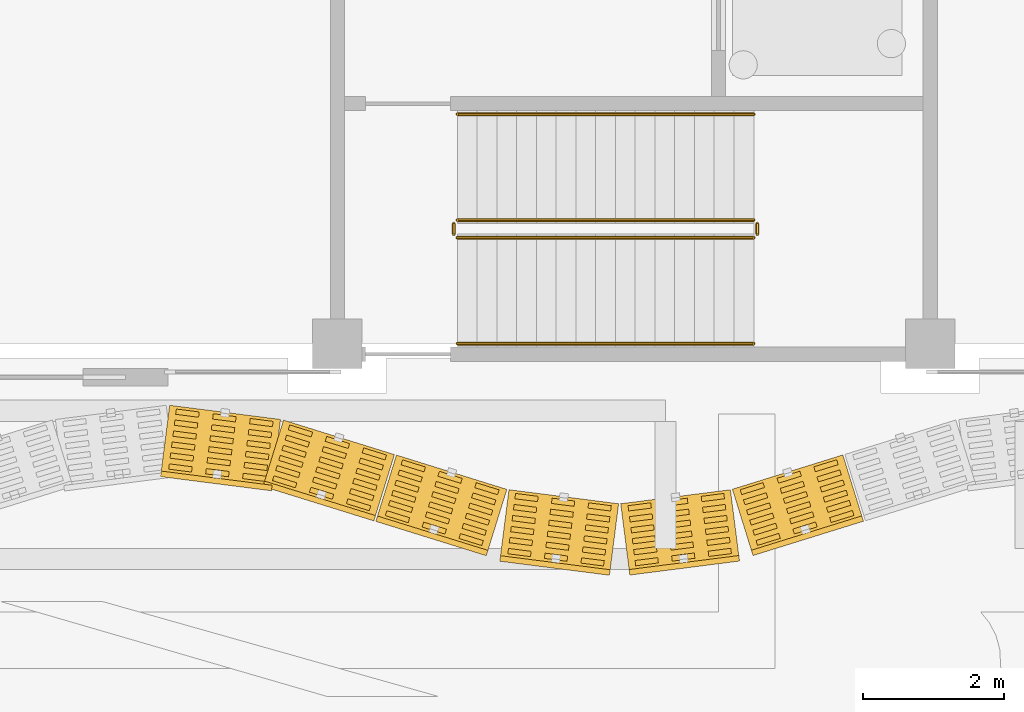
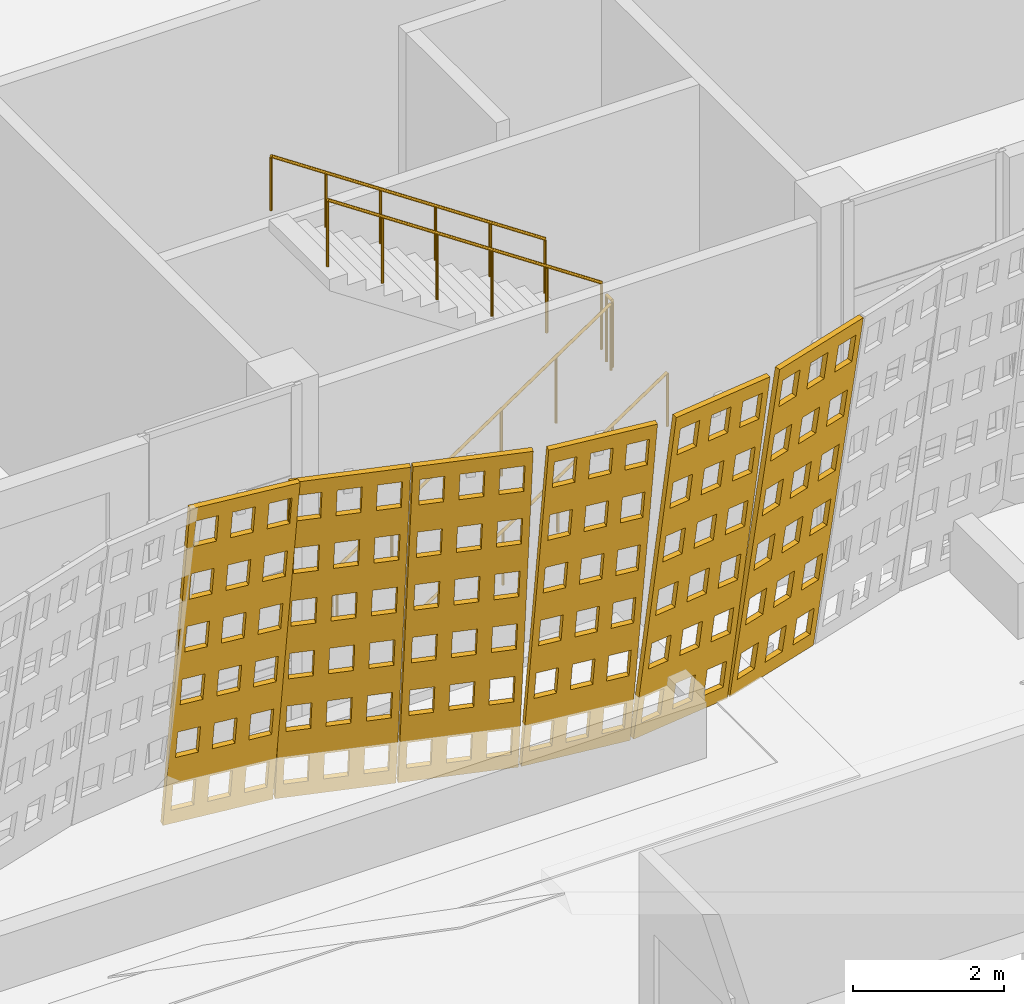
# One storey, part 176 of 210: 6 coverings, 6 railings.
"""IFC4 building model written with IfcOpenShell, lengths in metres."""

from ifc_helpers import new_model, si_unit, direction, frame, origin, origin_2d, place, context, subcontext, project, spatial, polyline, circle, outline, extrude, material, layer, layer_set, type_object, element, save


model = new_model("IFC4")

# Units and contexts
model_context = context("Model", 3, precision=1e-05, world=origin(), true_north=direction((0.0, 1.0)))
body_context = subcontext(model_context, "Body", "Model", "MODEL_VIEW")
ifc_project = project(units=[si_unit("LENGTHUNIT", "METRE"), si_unit("AREAUNIT", "SQUARE_METRE"), si_unit("VOLUMEUNIT", "CUBIC_METRE"), si_unit("PLANEANGLEUNIT", "RADIAN"), si_unit("MASSUNIT", "GRAM", prefix="KILO")], contexts=[model_context])

# Site, building, storey
site_placement = place(None, origin())
site = spatial("IfcSite", under=ifc_project, at=site_placement, CompositionType="ELEMENT")
building_placement = place(site_placement, origin())
building = spatial("IfcBuilding", under=site, at=building_placement, Name="Rain Tree Exposition and Congress Centre", CompositionType="ELEMENT")
storey_placement = place(building_placement, origin())
storey = spatial("IfcBuildingStorey", under=building, at=storey_placement, Name="L00", CompositionType="ELEMENT", Elevation=0.0)

# Railings
ifc_material_1 = material(Name="Aluminium and glass balustrade", Category="aluminium")
railing_type_1 = type_object("IfcRailingType", Name="Concourse guard 1100", PredefinedType="GUARDRAIL", material=ifc_material_1)
railing_1_placement = place(storey_placement, frame((119.300048828125, 77.10009765625, 0.1875)))
element("IfcRailing", 1, at=railing_1_placement, inside=storey, type_object=railing_type_1, Name="L00 ST-C3 stair guard 1", PredefinedType="GUARDRAIL", context=body_context, shape_type="SweptSolid", body=[
    extrude(circle(Radius=0.02392578125, at=origin_2d()), frame((0.0, 0.0, 1.076171875), z_axis=(0.830904186295, 0.0, 0.556415522067), x_axis=(0.0, 1.0, 0.0)), (0.0, 0.0, 1.0), 5.0546875),
    extrude(circle(Radius=0.02099609375, at=origin_2d()), origin(), (0.0, 0.0, 1.0), 1.052001953125),
    extrude(circle(Radius=0.02099609375, at=origin_2d()), frame((0.840087890625, 0.0, 0.5625)), (0.0, 0.0, 1.0), 1.052001953125),
    extrude(circle(Radius=0.02099609375, at=origin_2d()), frame((1.679931640625, 0.0, 1.125)), (0.0, 0.0, 1.0), 1.052001953125),
    extrude(circle(Radius=0.02099609375, at=origin_2d()), frame((2.52001953125, 0.0, 1.6875)), (0.0, 0.0, 1.0), 1.052001953125),
    extrude(circle(Radius=0.02099609375, at=origin_2d()), frame((3.35986328125, 0.0, 2.25)), (0.0, 0.0, 1.0), 1.052001953125),
    extrude(circle(Radius=0.02099609375, at=origin_2d()), frame((4.199951171875, 0.0, 2.8125)), (0.0, 0.0, 1.0), 1.052001953125),
])
railing_2_placement = place(storey_placement, frame((123.550048828125, 77.14990234375, 3.0)))
element("IfcRailing", 2, at=railing_2_placement, inside=storey, type_object=railing_type_1, Name="L00 ST-C3 stair guard 2", PredefinedType="GUARDRAIL", context=body_context, shape_type="SweptSolid", body=[
    extrude(circle(Radius=0.02392578125, at=origin_2d()), frame((0.0, 0.0, 1.076171875), z_axis=(0.0, 1.0, 0.0), x_axis=(-1.0, 0.0, 0.0)), (0.0, 0.0, 1.0), 0.150146484375),
    extrude(circle(Radius=0.02099609375, at=origin_2d()), origin(), (0.0, 0.0, 1.0), 1.052001953125),
    extrude(circle(Radius=0.02099609375, at=origin_2d()), frame((0.0, 0.150146484375, 0.0)), (0.0, 0.0, 1.0), 1.052001953125),
])
railing_3_placement = place(storey_placement, frame((123.5, 77.35009765625, 3.1875)))
element("IfcRailing", 3, at=railing_3_placement, inside=storey, type_object=railing_type_1, Name="L00 ST-C3 stair guard 3", PredefinedType="GUARDRAIL", context=body_context, shape_type="SweptSolid", body=[
    extrude(circle(Radius=0.02392578125, at=origin_2d()), frame((0.0, 0.0, 1.076171875), z_axis=(-0.830904186295, 0.0, 0.556415522067), x_axis=(0.0, -1.0, 0.0)), (0.0, 0.0, 1.0), 5.0546875),
    extrude(circle(Radius=0.02099609375, at=origin_2d()), origin(), (0.0, 0.0, 1.0), 1.052001953125),
    extrude(circle(Radius=0.02099609375, at=origin_2d()), frame((-0.840087890625, 0.0, 0.5625)), (0.0, 0.0, 1.0), 1.052001953125),
    extrude(circle(Radius=0.02099609375, at=origin_2d()), frame((-1.679931640625, 0.0, 1.125)), (0.0, 0.0, 1.0), 1.052001953125),
    extrude(circle(Radius=0.02099609375, at=origin_2d()), frame((-2.52001953125, 0.0, 1.6875)), (0.0, 0.0, 1.0), 1.052001953125),
    extrude(circle(Radius=0.02099609375, at=origin_2d()), frame((-3.35986328125, 0.0, 2.25)), (0.0, 0.0, 1.0), 1.052001953125),
    extrude(circle(Radius=0.02099609375, at=origin_2d()), frame((-4.199951171875, 0.0, 2.8125)), (0.0, 0.0, 1.0), 1.052001953125),
])
railing_4_placement = place(storey_placement, frame((119.25, 77.14990234375, 0.0)))
element("IfcRailing", 4, at=railing_4_placement, inside=storey, type_object=railing_type_1, Name="L00 ST-C3 stair guard 4", PredefinedType="GUARDRAIL", context=body_context, shape_type="SweptSolid", body=[
    extrude(circle(Radius=0.02392578125, at=origin_2d()), frame((0.0, 0.0, 1.076171875), z_axis=(0.0, 1.0, 0.0), x_axis=(-1.0, 0.0, 0.0)), (0.0, 0.0, 1.0), 0.150146484375),
    extrude(circle(Radius=0.02099609375, at=origin_2d()), origin(), (0.0, 0.0, 1.0), 1.052001953125),
    extrude(circle(Radius=0.02099609375, at=origin_2d()), frame((0.0, 0.150146484375, 0.0)), (0.0, 0.0, 1.0), 1.052001953125),
])
ifc_material_2 = material(Name="Aluminium handrail", Category="aluminium")
railing_type_2 = type_object("IfcRailingType", Name="Concourse handrail 900", PredefinedType="HANDRAIL", material=ifc_material_2)
railing_5_placement = place(storey_placement, frame((119.300048828125, 75.60009765625, 0.1875)))
element("IfcRailing", 5, at=railing_5_placement, inside=storey, type_object=railing_type_2, Name="L00 ST-C3 stair handrail 1", PredefinedType="HANDRAIL", context=body_context, shape_type="SweptSolid", body=[
    extrude(circle(Radius=0.02392578125, at=origin_2d()), frame((0.0, 0.0, 0.8759765625), z_axis=(0.830904186295, 0.0, 0.556415522067), x_axis=(0.0, 1.0, 0.0)), (0.0, 0.0, 1.0), 5.0546875),
    extrude(circle(Radius=0.02099609375, at=origin_2d()), origin(), (0.0, 0.0, 1.0), 0.851806640625),
    extrude(circle(Radius=0.02099609375, at=origin_2d()), frame((0.840087890625, 0.0, 0.5625)), (0.0, 0.0, 1.0), 0.851806640625),
    extrude(circle(Radius=0.02099609375, at=origin_2d()), frame((1.679931640625, 0.0, 1.125)), (0.0, 0.0, 1.0), 0.851806640625),
    extrude(circle(Radius=0.02099609375, at=origin_2d()), frame((2.52001953125, 0.0, 1.6875)), (0.0, 0.0, 1.0), 0.851806640625),
    extrude(circle(Radius=0.02099609375, at=origin_2d()), frame((3.35986328125, 0.0, 2.25)), (0.0, 0.0, 1.0), 0.851806640625),
    extrude(circle(Radius=0.02099609375, at=origin_2d()), frame((4.199951171875, 0.0, 2.8125)), (0.0, 0.0, 1.0), 0.851806640625),
])
railing_6_placement = place(storey_placement, frame((123.5, 78.85009765625, 3.1875)))
element("IfcRailing", 6, at=railing_6_placement, inside=storey, type_object=railing_type_2, Name="L00 ST-C3 stair handrail 2", PredefinedType="HANDRAIL", context=body_context, shape_type="SweptSolid", body=[
    extrude(circle(Radius=0.02392578125, at=origin_2d()), frame((0.0, 0.0, 0.8759765625), z_axis=(-0.830904186295, 0.0, 0.556415522067), x_axis=(0.0, -1.0, 0.0)), (0.0, 0.0, 1.0), 5.0546875),
    extrude(circle(Radius=0.02099609375, at=origin_2d()), origin(), (0.0, 0.0, 1.0), 0.851806640625),
    extrude(circle(Radius=0.02099609375, at=origin_2d()), frame((-0.840087890625, 0.0, 0.5625)), (0.0, 0.0, 1.0), 0.851806640625),
    extrude(circle(Radius=0.02099609375, at=origin_2d()), frame((-1.679931640625, 0.0, 1.125)), (0.0, 0.0, 1.0), 0.851806640625),
    extrude(circle(Radius=0.02099609375, at=origin_2d()), frame((-2.52001953125, 0.0, 1.6875)), (0.0, 0.0, 1.0), 0.851806640625),
    extrude(circle(Radius=0.02099609375, at=origin_2d()), frame((-3.35986328125, 0.0, 2.25)), (0.0, 0.0, 1.0), 0.851806640625),
    extrude(circle(Radius=0.02099609375, at=origin_2d()), frame((-4.199951171875, 0.0, 2.8125)), (0.0, 0.0, 1.0), 0.851806640625),
])

# Coverings
ifc_material_3 = material(Name="Perforated terracotta", Category="masonry")
ifc_layer = layer(ifc_material_3, 0.080078125)
ifc_layer_set = layer_set([ifc_layer], Name="Perforated terracotta")
covering_type = type_object("IfcCoveringType", Name="Terracotta screen 80", PredefinedType="CLADDING", material=ifc_layer_set)
covering_1_placement = place(storey_placement, frame((115.199951171875, 74.64990234375, 0.0), z_axis=(0.125030801275, 0.978899688033, 0.161625182136), x_axis=(-0.991941518713, 0.126696580272, 0.0)))
element("IfcCovering", 7, at=covering_1_placement, inside=storey, type_object=covering_type, Name="concourse/screen/L00/073", PredefinedType="CLADDING", context=body_context, shape_type="SweptSolid", body=[
    extrude(outline(polyline([(-0.014892578125, 0.0), (-1.59814453125, 0.0), (-1.59814453125, 5.813720703125), (-0.014892578125, 5.813720703125), (-0.014892578125, 0.0)]), holes=[polyline([(-0.115234375, 0.25), (-0.115234375, 0.718994140625), (-0.4423828125, 0.718994140625), (-0.4423828125, 0.25), (-0.115234375, 0.25)]), polyline([(-0.115234375, 1.218994140625), (-0.115234375, 1.687744140625), (-0.4423828125, 1.687744140625), (-0.4423828125, 1.218994140625), (-0.115234375, 1.218994140625)]), polyline([(-0.115234375, 2.18798828125), (-0.115234375, 2.65673828125), (-0.4423828125, 2.65673828125), (-0.4423828125, 2.18798828125), (-0.115234375, 2.18798828125)]), polyline([(-0.115234375, 3.156982421875), (-0.115234375, 3.625732421875), (-0.4423828125, 3.625732421875), (-0.4423828125, 3.156982421875), (-0.115234375, 3.156982421875)]), polyline([(-0.115234375, 4.125732421875), (-0.115234375, 4.594482421875), (-0.4423828125, 4.594482421875), (-0.4423828125, 4.125732421875), (-0.115234375, 4.125732421875)]), polyline([(-0.115234375, 5.0947265625), (-0.115234375, 5.563720703125), (-0.4423828125, 5.563720703125), (-0.4423828125, 5.0947265625), (-0.115234375, 5.0947265625)]), polyline([(-0.64306640625, 0.25), (-0.64306640625, 0.718994140625), (-0.97021484375, 0.718994140625), (-0.97021484375, 0.25), (-0.64306640625, 0.25)]), polyline([(-0.64306640625, 1.218994140625), (-0.64306640625, 1.687744140625), (-0.97021484375, 1.687744140625), (-0.97021484375, 1.218994140625), (-0.64306640625, 1.218994140625)]), polyline([(-0.64306640625, 2.18798828125), (-0.64306640625, 2.65673828125), (-0.97021484375, 2.65673828125), (-0.97021484375, 2.18798828125), (-0.64306640625, 2.18798828125)]), polyline([(-0.64306640625, 3.156982421875), (-0.64306640625, 3.625732421875), (-0.97021484375, 3.625732421875), (-0.97021484375, 3.156982421875), (-0.64306640625, 3.156982421875)]), polyline([(-0.64306640625, 4.125732421875), (-0.64306640625, 4.594482421875), (-0.97021484375, 4.594482421875), (-0.97021484375, 4.125732421875), (-0.64306640625, 4.125732421875)]), polyline([(-0.64306640625, 5.0947265625), (-0.64306640625, 5.563720703125), (-0.97021484375, 5.563720703125), (-0.97021484375, 5.0947265625), (-0.64306640625, 5.0947265625)]), polyline([(-1.170654296875, 0.25), (-1.170654296875, 0.718994140625), (-1.497802734375, 0.718994140625), (-1.497802734375, 0.25), (-1.170654296875, 0.25)]), polyline([(-1.170654296875, 1.218994140625), (-1.170654296875, 1.687744140625), (-1.497802734375, 1.687744140625), (-1.497802734375, 1.218994140625), (-1.170654296875, 1.218994140625)]), polyline([(-1.170654296875, 2.18798828125), (-1.170654296875, 2.65673828125), (-1.497802734375, 2.65673828125), (-1.497802734375, 2.18798828125), (-1.170654296875, 2.18798828125)]), polyline([(-1.170654296875, 3.156982421875), (-1.170654296875, 3.625732421875), (-1.497802734375, 3.625732421875), (-1.497802734375, 3.156982421875), (-1.170654296875, 3.156982421875)]), polyline([(-1.170654296875, 4.125732421875), (-1.170654296875, 4.594482421875), (-1.497802734375, 4.594482421875), (-1.497802734375, 4.125732421875), (-1.170654296875, 4.125732421875)]), polyline([(-1.170654296875, 5.0947265625), (-1.170654296875, 5.563720703125), (-1.497802734375, 5.563720703125), (-1.497802734375, 5.0947265625), (-1.170654296875, 5.0947265625)])]), origin(), (0.0, 0.0, 1.0), 0.080078125),
])
covering_2_placement = place(storey_placement, frame((116.800048828125, 74.445068359375, 0.0), z_axis=(0.293072736571, 0.943327870838, 0.155694891303), x_axis=(-0.954973588716, 0.296690823679, 0.0)))
element("IfcCovering", 8, at=covering_2_placement, inside=storey, type_object=covering_type, Name="concourse/screen/L00/074", PredefinedType="CLADDING", context=body_context, shape_type="SweptSolid", body=[
    extrude(outline(polyline([(-0.014892578125, 0.0), (-1.659912109375, 0.0), (-1.659912109375, 5.80859375), (-0.014892578125, 5.80859375), (-0.014892578125, 0.0)]), holes=[polyline([(-0.119140625, 0.249755859375), (-0.119140625, 0.71826171875), (-0.458984375, 0.71826171875), (-0.458984375, 0.249755859375), (-0.119140625, 0.249755859375)]), polyline([(-0.119140625, 1.218017578125), (-0.119140625, 1.686279296875), (-0.458984375, 1.686279296875), (-0.458984375, 1.218017578125), (-0.119140625, 1.218017578125)]), polyline([(-0.119140625, 2.18603515625), (-0.119140625, 2.654541015625), (-0.458984375, 2.654541015625), (-0.458984375, 2.18603515625), (-0.119140625, 2.18603515625)]), polyline([(-0.119140625, 3.154052734375), (-0.119140625, 3.62255859375), (-0.458984375, 3.62255859375), (-0.458984375, 3.154052734375), (-0.119140625, 3.154052734375)]), polyline([(-0.119140625, 4.122314453125), (-0.119140625, 4.5908203125), (-0.458984375, 4.5908203125), (-0.458984375, 4.122314453125), (-0.119140625, 4.122314453125)]), polyline([(-0.119140625, 5.09033203125), (-0.119140625, 5.558837890625), (-0.458984375, 5.558837890625), (-0.458984375, 5.09033203125), (-0.119140625, 5.09033203125)]), polyline([(-0.66748046875, 0.249755859375), (-0.66748046875, 0.71826171875), (-1.00732421875, 0.71826171875), (-1.00732421875, 0.249755859375), (-0.66748046875, 0.249755859375)]), polyline([(-0.66748046875, 1.218017578125), (-0.66748046875, 1.686279296875), (-1.00732421875, 1.686279296875), (-1.00732421875, 1.218017578125), (-0.66748046875, 1.218017578125)]), polyline([(-0.66748046875, 2.18603515625), (-0.66748046875, 2.654541015625), (-1.00732421875, 2.654541015625), (-1.00732421875, 2.18603515625), (-0.66748046875, 2.18603515625)]), polyline([(-0.66748046875, 3.154052734375), (-0.66748046875, 3.62255859375), (-1.00732421875, 3.62255859375), (-1.00732421875, 3.154052734375), (-0.66748046875, 3.154052734375)]), polyline([(-0.66748046875, 4.122314453125), (-0.66748046875, 4.5908203125), (-1.00732421875, 4.5908203125), (-1.00732421875, 4.122314453125), (-0.66748046875, 4.122314453125)]), polyline([(-0.66748046875, 5.09033203125), (-0.66748046875, 5.558837890625), (-1.00732421875, 5.558837890625), (-1.00732421875, 5.09033203125), (-0.66748046875, 5.09033203125)]), polyline([(-1.2158203125, 0.249755859375), (-1.2158203125, 0.71826171875), (-1.5556640625, 0.71826171875), (-1.5556640625, 0.249755859375), (-1.2158203125, 0.249755859375)]), polyline([(-1.2158203125, 1.218017578125), (-1.2158203125, 1.686279296875), (-1.5556640625, 1.686279296875), (-1.5556640625, 1.218017578125), (-1.2158203125, 1.218017578125)]), polyline([(-1.2158203125, 2.18603515625), (-1.2158203125, 2.654541015625), (-1.5556640625, 2.654541015625), (-1.5556640625, 2.18603515625), (-1.2158203125, 2.18603515625)]), polyline([(-1.2158203125, 3.154052734375), (-1.2158203125, 3.62255859375), (-1.5556640625, 3.62255859375), (-1.5556640625, 3.154052734375), (-1.2158203125, 3.154052734375)]), polyline([(-1.2158203125, 4.122314453125), (-1.2158203125, 4.5908203125), (-1.5556640625, 4.5908203125), (-1.5556640625, 4.122314453125), (-1.2158203125, 4.122314453125)]), polyline([(-1.2158203125, 5.09033203125), (-1.2158203125, 5.558837890625), (-1.5556640625, 5.558837890625), (-1.5556640625, 5.09033203125), (-1.2158203125, 5.09033203125)])]), origin(), (0.0, 0.0, 1.0), 0.080078125),
])
covering_3_placement = place(storey_placement, frame((118.39990234375, 73.949951171875, 0.0), z_axis=(0.293072736571, 0.943327870838, 0.155694891303), x_axis=(-0.954973588716, 0.296690823679, 0.0)))
element("IfcCovering", 9, at=covering_3_placement, inside=storey, type_object=covering_type, Name="concourse/screen/L00/075", PredefinedType="CLADDING", context=body_context, shape_type="SweptSolid", body=[
    extrude(outline(polyline([(-0.014892578125, 0.0), (-1.65283203125, 0.0), (-1.65283203125, 5.80859375), (-0.014892578125, 5.80859375), (-0.014892578125, 0.0)]), holes=[polyline([(-0.11865234375, 0.249755859375), (-0.11865234375, 0.71826171875), (-0.457275390625, 0.71826171875), (-0.457275390625, 0.249755859375), (-0.11865234375, 0.249755859375)]), polyline([(-0.11865234375, 1.218017578125), (-0.11865234375, 1.686279296875), (-0.457275390625, 1.686279296875), (-0.457275390625, 1.218017578125), (-0.11865234375, 1.218017578125)]), polyline([(-0.11865234375, 2.18603515625), (-0.11865234375, 2.654541015625), (-0.457275390625, 2.654541015625), (-0.457275390625, 2.18603515625), (-0.11865234375, 2.18603515625)]), polyline([(-0.11865234375, 3.154052734375), (-0.11865234375, 3.62255859375), (-0.457275390625, 3.62255859375), (-0.457275390625, 3.154052734375), (-0.11865234375, 3.154052734375)]), polyline([(-0.11865234375, 4.122314453125), (-0.11865234375, 4.5908203125), (-0.457275390625, 4.5908203125), (-0.457275390625, 4.122314453125), (-0.11865234375, 4.122314453125)]), polyline([(-0.11865234375, 5.09033203125), (-0.11865234375, 5.558837890625), (-0.457275390625, 5.558837890625), (-0.457275390625, 5.09033203125), (-0.11865234375, 5.09033203125)]), polyline([(-0.664794921875, 0.249755859375), (-0.664794921875, 0.71826171875), (-1.003173828125, 0.71826171875), (-1.003173828125, 0.249755859375), (-0.664794921875, 0.249755859375)]), polyline([(-0.664794921875, 1.218017578125), (-0.664794921875, 1.686279296875), (-1.003173828125, 1.686279296875), (-1.003173828125, 1.218017578125), (-0.664794921875, 1.218017578125)]), polyline([(-0.664794921875, 2.18603515625), (-0.664794921875, 2.654541015625), (-1.003173828125, 2.654541015625), (-1.003173828125, 2.18603515625), (-0.664794921875, 2.18603515625)]), polyline([(-0.664794921875, 3.154052734375), (-0.664794921875, 3.62255859375), (-1.003173828125, 3.62255859375), (-1.003173828125, 3.154052734375), (-0.664794921875, 3.154052734375)]), polyline([(-0.664794921875, 4.122314453125), (-0.664794921875, 4.5908203125), (-1.003173828125, 4.5908203125), (-1.003173828125, 4.122314453125), (-0.664794921875, 4.122314453125)]), polyline([(-0.664794921875, 5.09033203125), (-0.664794921875, 5.558837890625), (-1.003173828125, 5.558837890625), (-1.003173828125, 5.09033203125), (-0.664794921875, 5.09033203125)]), polyline([(-1.210693359375, 0.249755859375), (-1.210693359375, 0.71826171875), (-1.54931640625, 0.71826171875), (-1.54931640625, 0.249755859375), (-1.210693359375, 0.249755859375)]), polyline([(-1.210693359375, 1.218017578125), (-1.210693359375, 1.686279296875), (-1.54931640625, 1.686279296875), (-1.54931640625, 1.218017578125), (-1.210693359375, 1.218017578125)]), polyline([(-1.210693359375, 2.18603515625), (-1.210693359375, 2.654541015625), (-1.54931640625, 2.654541015625), (-1.54931640625, 2.18603515625), (-1.210693359375, 2.18603515625)]), polyline([(-1.210693359375, 3.154052734375), (-1.210693359375, 3.62255859375), (-1.54931640625, 3.62255859375), (-1.54931640625, 3.154052734375), (-1.210693359375, 3.154052734375)]), polyline([(-1.210693359375, 4.122314453125), (-1.210693359375, 4.5908203125), (-1.54931640625, 4.5908203125), (-1.54931640625, 4.122314453125), (-1.210693359375, 4.122314453125)]), polyline([(-1.210693359375, 5.09033203125), (-1.210693359375, 5.558837890625), (-1.54931640625, 5.558837890625), (-1.54931640625, 5.09033203125), (-1.210693359375, 5.09033203125)])]), origin(), (0.0, 0.0, 1.0), 0.080078125),
])
covering_4_placement = place(storey_placement, frame((120.0, 73.455078125, 0.0), z_axis=(0.125405134464, 0.978771781185, 0.162109076259), x_axis=(-0.991891686382, 0.127086122318, 0.0)))
element("IfcCovering", 10, at=covering_4_placement, inside=storey, type_object=covering_type, Name="concourse/screen/L00/076", PredefinedType="CLADDING", context=body_context, shape_type="SweptSolid", body=[
    extrude(outline(polyline([(-0.02197265625, 0.0), (-1.587890625, 0.0), (-1.587890625, 5.813720703125), (-0.02197265625, 5.813720703125), (-0.02197265625, 0.0)]), holes=[polyline([(-0.12109375, 0.25), (-0.12109375, 0.718994140625), (-0.444580078125, 0.718994140625), (-0.444580078125, 0.25), (-0.12109375, 0.25)]), polyline([(-0.12109375, 1.218994140625), (-0.12109375, 1.687744140625), (-0.444580078125, 1.687744140625), (-0.444580078125, 1.218994140625), (-0.12109375, 1.218994140625)]), polyline([(-0.12109375, 2.18798828125), (-0.12109375, 2.65673828125), (-0.444580078125, 2.65673828125), (-0.444580078125, 2.18798828125), (-0.12109375, 2.18798828125)]), polyline([(-0.12109375, 3.156982421875), (-0.12109375, 3.625732421875), (-0.444580078125, 3.625732421875), (-0.444580078125, 3.156982421875), (-0.12109375, 3.156982421875)]), polyline([(-0.12109375, 4.125732421875), (-0.12109375, 4.594482421875), (-0.444580078125, 4.594482421875), (-0.444580078125, 4.125732421875), (-0.12109375, 4.125732421875)]), polyline([(-0.12109375, 5.0947265625), (-0.12109375, 5.563720703125), (-0.444580078125, 5.563720703125), (-0.444580078125, 5.0947265625), (-0.12109375, 5.0947265625)]), polyline([(-0.64306640625, 0.25), (-0.64306640625, 0.718994140625), (-0.966796875, 0.718994140625), (-0.966796875, 0.25), (-0.64306640625, 0.25)]), polyline([(-0.64306640625, 1.218994140625), (-0.64306640625, 1.687744140625), (-0.966796875, 1.687744140625), (-0.966796875, 1.218994140625), (-0.64306640625, 1.218994140625)]), polyline([(-0.64306640625, 2.18798828125), (-0.64306640625, 2.65673828125), (-0.966796875, 2.65673828125), (-0.966796875, 2.18798828125), (-0.64306640625, 2.18798828125)]), polyline([(-0.64306640625, 3.156982421875), (-0.64306640625, 3.625732421875), (-0.966796875, 3.625732421875), (-0.966796875, 3.156982421875), (-0.64306640625, 3.156982421875)]), polyline([(-0.64306640625, 4.125732421875), (-0.64306640625, 4.594482421875), (-0.966796875, 4.594482421875), (-0.966796875, 4.125732421875), (-0.64306640625, 4.125732421875)]), polyline([(-0.64306640625, 5.0947265625), (-0.64306640625, 5.563720703125), (-0.966796875, 5.563720703125), (-0.966796875, 5.0947265625), (-0.64306640625, 5.0947265625)]), polyline([(-1.1650390625, 0.25), (-1.1650390625, 0.718994140625), (-1.48876953125, 0.718994140625), (-1.48876953125, 0.25), (-1.1650390625, 0.25)]), polyline([(-1.1650390625, 1.218994140625), (-1.1650390625, 1.687744140625), (-1.48876953125, 1.687744140625), (-1.48876953125, 1.218994140625), (-1.1650390625, 1.218994140625)]), polyline([(-1.1650390625, 2.18798828125), (-1.1650390625, 2.65673828125), (-1.48876953125, 2.65673828125), (-1.48876953125, 2.18798828125), (-1.1650390625, 2.18798828125)]), polyline([(-1.1650390625, 3.156982421875), (-1.1650390625, 3.625732421875), (-1.48876953125, 3.625732421875), (-1.48876953125, 3.156982421875), (-1.1650390625, 3.156982421875)]), polyline([(-1.1650390625, 4.125732421875), (-1.1650390625, 4.594482421875), (-1.48876953125, 4.594482421875), (-1.48876953125, 4.125732421875), (-1.1650390625, 4.125732421875)]), polyline([(-1.1650390625, 5.0947265625), (-1.1650390625, 5.563720703125), (-1.48876953125, 5.563720703125), (-1.48876953125, 5.0947265625), (-1.1650390625, 5.0947265625)])]), origin(), (0.0, 0.0, 1.0), 0.079833984375),
])
covering_5_placement = place(storey_placement, frame((121.60009765625, 73.25, 0.0), z_axis=(-0.125030801275, 0.978899688033, 0.161625182136), x_axis=(-0.991941518713, -0.126696580272, 0.0)))
element("IfcCovering", 11, at=covering_5_placement, inside=storey, type_object=covering_type, Name="concourse/screen/L00/077", PredefinedType="CLADDING", context=body_context, shape_type="SweptSolid", body=[
    extrude(outline(polyline([(-0.025146484375, 0.0), (-1.59130859375, 0.0), (-1.59130859375, 5.813720703125), (-0.025146484375, 5.813720703125), (-0.025146484375, 0.0)]), holes=[polyline([(-0.12451171875, 0.25), (-0.12451171875, 0.718994140625), (-0.447998046875, 0.718994140625), (-0.447998046875, 0.25), (-0.12451171875, 0.25)]), polyline([(-0.12451171875, 1.218994140625), (-0.12451171875, 1.687744140625), (-0.447998046875, 1.687744140625), (-0.447998046875, 1.218994140625), (-0.12451171875, 1.218994140625)]), polyline([(-0.12451171875, 2.18798828125), (-0.12451171875, 2.65673828125), (-0.447998046875, 2.65673828125), (-0.447998046875, 2.18798828125), (-0.12451171875, 2.18798828125)]), polyline([(-0.12451171875, 3.156982421875), (-0.12451171875, 3.625732421875), (-0.447998046875, 3.625732421875), (-0.447998046875, 3.156982421875), (-0.12451171875, 3.156982421875)]), polyline([(-0.12451171875, 4.125732421875), (-0.12451171875, 4.594482421875), (-0.447998046875, 4.594482421875), (-0.447998046875, 4.125732421875), (-0.12451171875, 4.125732421875)]), polyline([(-0.12451171875, 5.0947265625), (-0.12451171875, 5.563720703125), (-0.447998046875, 5.563720703125), (-0.447998046875, 5.0947265625), (-0.12451171875, 5.0947265625)]), polyline([(-0.646484375, 0.25), (-0.646484375, 0.718994140625), (-0.969970703125, 0.718994140625), (-0.969970703125, 0.25), (-0.646484375, 0.25)]), polyline([(-0.646484375, 1.218994140625), (-0.646484375, 1.687744140625), (-0.969970703125, 1.687744140625), (-0.969970703125, 1.218994140625), (-0.646484375, 1.218994140625)]), polyline([(-0.646484375, 2.18798828125), (-0.646484375, 2.65673828125), (-0.969970703125, 2.65673828125), (-0.969970703125, 2.18798828125), (-0.646484375, 2.18798828125)]), polyline([(-0.646484375, 3.156982421875), (-0.646484375, 3.625732421875), (-0.969970703125, 3.625732421875), (-0.969970703125, 3.156982421875), (-0.646484375, 3.156982421875)]), polyline([(-0.646484375, 4.125732421875), (-0.646484375, 4.594482421875), (-0.969970703125, 4.594482421875), (-0.969970703125, 4.125732421875), (-0.646484375, 4.125732421875)]), polyline([(-0.646484375, 5.0947265625), (-0.646484375, 5.563720703125), (-0.969970703125, 5.563720703125), (-0.969970703125, 5.0947265625), (-0.646484375, 5.0947265625)]), polyline([(-1.16845703125, 0.25), (-1.16845703125, 0.718994140625), (-1.491943359375, 0.718994140625), (-1.491943359375, 0.25), (-1.16845703125, 0.25)]), polyline([(-1.16845703125, 1.218994140625), (-1.16845703125, 1.687744140625), (-1.491943359375, 1.687744140625), (-1.491943359375, 1.218994140625), (-1.16845703125, 1.218994140625)]), polyline([(-1.16845703125, 2.18798828125), (-1.16845703125, 2.65673828125), (-1.491943359375, 2.65673828125), (-1.491943359375, 2.18798828125), (-1.16845703125, 2.18798828125)]), polyline([(-1.16845703125, 3.156982421875), (-1.16845703125, 3.625732421875), (-1.491943359375, 3.625732421875), (-1.491943359375, 3.156982421875), (-1.16845703125, 3.156982421875)]), polyline([(-1.16845703125, 4.125732421875), (-1.16845703125, 4.594482421875), (-1.491943359375, 4.594482421875), (-1.491943359375, 4.125732421875), (-1.16845703125, 4.125732421875)]), polyline([(-1.16845703125, 5.0947265625), (-1.16845703125, 5.563720703125), (-1.491943359375, 5.563720703125), (-1.491943359375, 5.0947265625), (-1.16845703125, 5.0947265625)])]), origin(), (0.0, 0.0, 1.0), 0.080078125),
])
covering_6_placement = place(storey_placement, frame((123.199951171875, 73.455078125, 0.0), z_axis=(-0.293072736571, 0.943327870838, 0.155694891303), x_axis=(-0.954973588716, -0.296690823679, 0.0)))
element("IfcCovering", 12, at=covering_6_placement, inside=storey, type_object=covering_type, Name="concourse/screen/L00/078", PredefinedType="CLADDING", context=body_context, shape_type="SweptSolid", body=[
    extrude(outline(polyline([(-0.02197265625, 0.0), (-1.659912109375, 0.0), (-1.659912109375, 5.80859375), (-0.02197265625, 5.80859375), (-0.02197265625, 0.0)]), holes=[polyline([(-0.125732421875, 0.249755859375), (-0.125732421875, 0.71826171875), (-0.464111328125, 0.71826171875), (-0.464111328125, 0.249755859375), (-0.125732421875, 0.249755859375)]), polyline([(-0.125732421875, 1.218017578125), (-0.125732421875, 1.686279296875), (-0.464111328125, 1.686279296875), (-0.464111328125, 1.218017578125), (-0.125732421875, 1.218017578125)]), polyline([(-0.125732421875, 2.18603515625), (-0.125732421875, 2.654541015625), (-0.464111328125, 2.654541015625), (-0.464111328125, 2.18603515625), (-0.125732421875, 2.18603515625)]), polyline([(-0.125732421875, 3.154052734375), (-0.125732421875, 3.62255859375), (-0.464111328125, 3.62255859375), (-0.464111328125, 3.154052734375), (-0.125732421875, 3.154052734375)]), polyline([(-0.125732421875, 4.122314453125), (-0.125732421875, 4.5908203125), (-0.464111328125, 4.5908203125), (-0.464111328125, 4.122314453125), (-0.125732421875, 4.122314453125)]), polyline([(-0.125732421875, 5.09033203125), (-0.125732421875, 5.558837890625), (-0.464111328125, 5.558837890625), (-0.464111328125, 5.09033203125), (-0.125732421875, 5.09033203125)]), polyline([(-0.671630859375, 0.249755859375), (-0.671630859375, 0.71826171875), (-1.010009765625, 0.71826171875), (-1.010009765625, 0.249755859375), (-0.671630859375, 0.249755859375)]), polyline([(-0.671630859375, 1.218017578125), (-0.671630859375, 1.686279296875), (-1.010009765625, 1.686279296875), (-1.010009765625, 1.218017578125), (-0.671630859375, 1.218017578125)]), polyline([(-0.671630859375, 2.18603515625), (-0.671630859375, 2.654541015625), (-1.010009765625, 2.654541015625), (-1.010009765625, 2.18603515625), (-0.671630859375, 2.18603515625)]), polyline([(-0.671630859375, 3.154052734375), (-0.671630859375, 3.62255859375), (-1.010009765625, 3.62255859375), (-1.010009765625, 3.154052734375), (-0.671630859375, 3.154052734375)]), polyline([(-0.671630859375, 4.122314453125), (-0.671630859375, 4.5908203125), (-1.010009765625, 4.5908203125), (-1.010009765625, 4.122314453125), (-0.671630859375, 4.122314453125)]), polyline([(-0.671630859375, 5.09033203125), (-0.671630859375, 5.558837890625), (-1.010009765625, 5.558837890625), (-1.010009765625, 5.09033203125), (-0.671630859375, 5.09033203125)]), polyline([(-1.217529296875, 0.249755859375), (-1.217529296875, 0.71826171875), (-1.55615234375, 0.71826171875), (-1.55615234375, 0.249755859375), (-1.217529296875, 0.249755859375)]), polyline([(-1.217529296875, 1.218017578125), (-1.217529296875, 1.686279296875), (-1.55615234375, 1.686279296875), (-1.55615234375, 1.218017578125), (-1.217529296875, 1.218017578125)]), polyline([(-1.217529296875, 2.18603515625), (-1.217529296875, 2.654541015625), (-1.55615234375, 2.654541015625), (-1.55615234375, 2.18603515625), (-1.217529296875, 2.18603515625)]), polyline([(-1.217529296875, 3.154052734375), (-1.217529296875, 3.62255859375), (-1.55615234375, 3.62255859375), (-1.55615234375, 3.154052734375), (-1.217529296875, 3.154052734375)]), polyline([(-1.217529296875, 4.122314453125), (-1.217529296875, 4.5908203125), (-1.55615234375, 4.5908203125), (-1.55615234375, 4.122314453125), (-1.217529296875, 4.122314453125)]), polyline([(-1.217529296875, 5.09033203125), (-1.217529296875, 5.558837890625), (-1.55615234375, 5.558837890625), (-1.55615234375, 5.09033203125), (-1.217529296875, 5.09033203125)])]), origin(), (0.0, 0.0, 1.0), 0.080078125),
])

save(model, "model.ifc")
